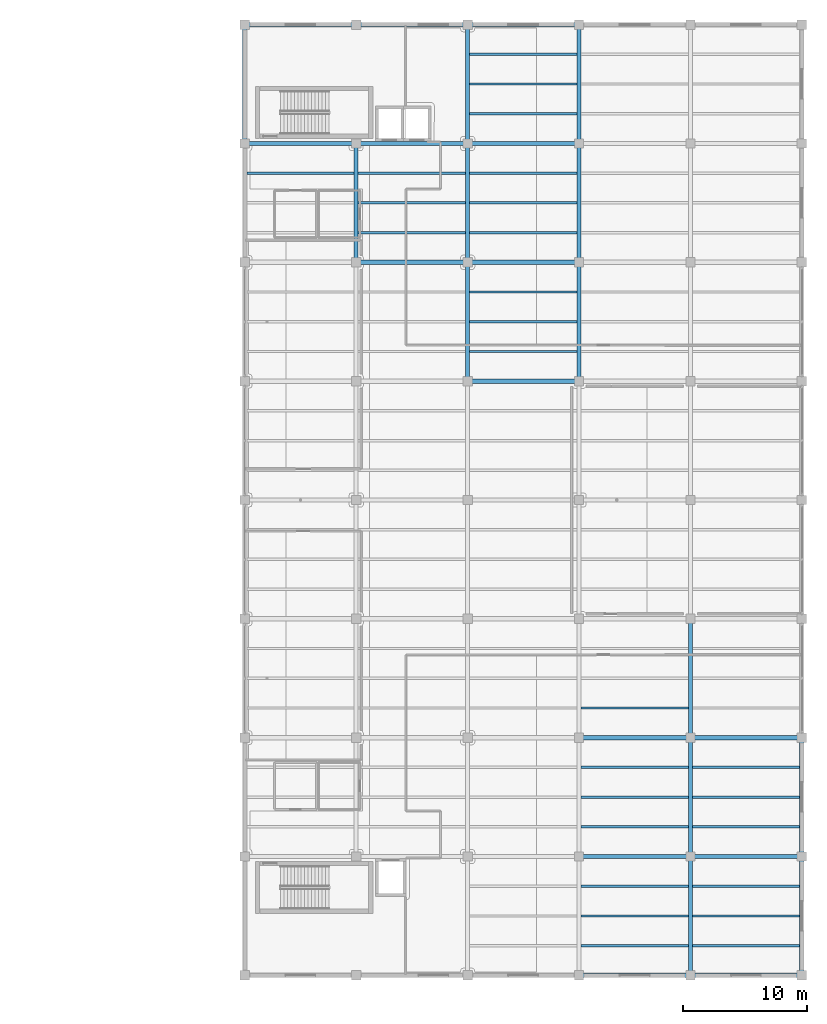
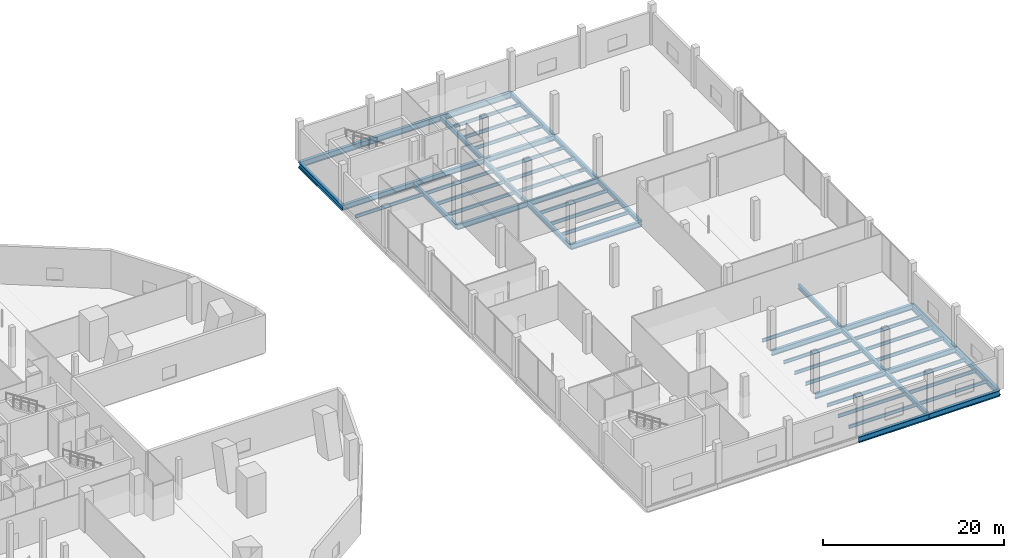
# One storey, part 14 of 47: 54 beams.
"""IFC4 building model written with IfcOpenShell, lengths in metres."""

from ifc_helpers import new_model, si_unit, direction, frame, origin, origin_2d, place, context, subcontext, project, spatial, i_section, extrude, material, material_profile, profile_set, type_object, element, save


model = new_model("IFC4")

# Units and contexts
model_context = context("Model", 3, precision=1e-05, world=origin(), true_north=direction((0.0, 1.0)))
body_context = subcontext(model_context, "Body", "Model", "MODEL_VIEW")
ifc_project = project(units=[si_unit("LENGTHUNIT", "METRE"), si_unit("AREAUNIT", "SQUARE_METRE"), si_unit("VOLUMEUNIT", "CUBIC_METRE"), si_unit("PLANEANGLEUNIT", "RADIAN"), si_unit("MASSUNIT", "GRAM", prefix="KILO")], contexts=[model_context])

# Site, building, storey
site_placement = place(None, origin())
site = spatial("IfcSite", under=ifc_project, at=site_placement, CompositionType="ELEMENT")
building_placement = place(site_placement, origin())
building = spatial("IfcBuilding", under=site, at=building_placement, Name="Qorvath Tower", CompositionType="ELEMENT")
storey_placement = place(building_placement, frame((0.0, 0.0, 6.60009765625)))
storey = spatial("IfcBuildingStorey", under=building, at=storey_placement, Name="L01", CompositionType="ELEMENT", Elevation=6.60009765625)

# Beams
ifc_material_1 = material(Name="Steel ASTM A992 Grade 50", Category="steel")
ifc_material_profile_1 = material_profile(ifc_material_1, i_section(OverallWidth=0.381103515625, OverallDepth=0.77294921875, WebThickness=0.0166015625, FlangeThickness=0.027099609375, FilletRadius=0.01904296875, at=origin_2d()), Name="W30x173")
ifc_profile_set_1 = profile_set([ifc_material_profile_1], Name="Steel ASTM A992 Grade 50")
beam_type_1 = type_object("IfcBeamType", Name="BM-FG3", PredefinedType="BEAM", material=ifc_profile_set_1)
for number, where, z_axis, x_axis, name in (
    (1, (59.39990234375, -38.39990234375, -0.646484375), (1.0, 0.0, 0.0), (0.0, 1.0, 0.0), "Library E-W Girder L01-1-4"),
    (2, (68.39990234375, -38.39990234375, -0.646484375), (1.0, 0.0, 0.0), (0.0, 1.0, 0.0), "Library E-W Girder L01-1-5"),
    (3, (32.39990234375, 38.39990234375, -0.646484375), (1.0, 0.0, 0.0), (0.0, 1.0, 0.0), "Library E-W Girder L01-9-1"),
    (4, (41.39990234375, 38.39990234375, -0.646484375), (1.0, 0.0, 0.0), (0.0, 1.0, 0.0), "Library E-W Girder L01-9-2"),
    (5, (50.39990234375, 38.39990234375, -0.646484375), (1.0, 0.0, 0.0), (0.0, 1.0, 0.0), "Library E-W Girder L01-9-3"),
):
    element("IfcBeam", number, at=place(storey_placement, frame(where, z_axis=z_axis, x_axis=x_axis)), inside=storey, type_object=beam_type_1, Name=name, PredefinedType="BEAM", context=body_context, shape_type="SweptSolid", body=[
        extrude(i_section(OverallWidth=0.381103515625, OverallDepth=0.77294921875, WebThickness=0.0166015625, FlangeThickness=0.027099609375, FilletRadius=0.01904296875, at=origin_2d()), origin(), (0.0, 0.0, 1.0), 9.0),
    ])
for number, where, z_axis, x_axis, name in (
    (6, (32.39990234375, 28.800048828125, -0.646484375), (0.0, 1.0, 0.0), (-1.0, 0.0, 0.0), "Library N-S Girder L01-1-8"),
    (7, (77.39990234375, -38.39990234375, -0.646484375), (0.0, 1.0, 0.0), (-1.0, 0.0, 0.0), "Library N-S Girder L01-6-1"),
):
    element("IfcBeam", number, at=place(storey_placement, frame(where, z_axis=z_axis, x_axis=x_axis)), inside=storey, type_object=beam_type_1, Name=name, PredefinedType="BEAM", context=body_context, shape_type="SweptSolid", body=[
        extrude(i_section(OverallWidth=0.381103515625, OverallDepth=0.77294921875, WebThickness=0.0166015625, FlangeThickness=0.027099609375, FilletRadius=0.01904296875, at=origin_2d()), origin(), (0.0, 0.0, 1.0), 9.599853515625),
    ])
beam_1_placement = place(storey_placement, frame((77.39990234375, -28.800048828125, -0.646484375), z_axis=(0.0, 1.0, 0.0), x_axis=(-1.0, 0.0, 0.0)))
element("IfcBeam", 8, at=beam_1_placement, inside=storey, type_object=beam_type_1, Name="Library N-S Girder L01-6-2", PredefinedType="BEAM", context=body_context, shape_type="SweptSolid", body=[
    extrude(i_section(OverallWidth=0.381103515625, OverallDepth=0.77294921875, WebThickness=0.0166015625, FlangeThickness=0.027099609375, FilletRadius=0.01904296875, at=origin_2d()), origin(), (0.0, 0.0, 1.0), 9.60009765625),
])
ifc_material_2 = material(Name="Steel ASTM A992 Grade 50", Category="steel")
ifc_material_profile_2 = material_profile(ifc_material_2, i_section(OverallWidth=0.35595703125, OverallDepth=0.696044921875, WebThickness=0.015380859375, FlangeThickness=0.02490234375, FilletRadius=0.01806640625, at=origin_2d()), Name="W27x146")
ifc_profile_set_2 = profile_set([ifc_material_profile_2], Name="Steel ASTM A992 Grade 50")
beam_type_2 = type_object("IfcBeamType", Name="BM-FG4", PredefinedType="BEAM", material=ifc_profile_set_2)
for number, where, z_axis, x_axis, name in (
    (9, (59.39990234375, -28.800048828125, -0.60791015625), (1.0, 0.0, 0.0), (0.0, 1.0, 0.0), "Library E-W Girder L01-2-4"),
    (10, (68.39990234375, -28.800048828125, -0.60791015625), (1.0, 0.0, 0.0), (0.0, 1.0, 0.0), "Library E-W Girder L01-2-5"),
    (11, (59.39990234375, -19.199951171875, -0.60791015625), (1.0, 0.0, 0.0), (0.0, 1.0, 0.0), "Library E-W Girder L01-3-4"),
    (12, (68.39990234375, -19.199951171875, -0.60791015625), (1.0, 0.0, 0.0), (0.0, 1.0, 0.0), "Library E-W Girder L01-3-5"),
    (13, (50.39990234375, 9.60009765625, -0.60791015625), (1.0, 0.0, 0.0), (0.0, 1.0, 0.0), "Library E-W Girder L01-6-3"),
    (14, (41.39990234375, 19.199951171875, -0.60791015625), (1.0, 0.0, 0.0), (0.0, 1.0, 0.0), "Library E-W Girder L01-7-2"),
    (15, (50.39990234375, 19.199951171875, -0.60791015625), (1.0, 0.0, 0.0), (0.0, 1.0, 0.0), "Library E-W Girder L01-7-3"),
    (16, (32.39990234375, 28.800048828125, -0.60791015625), (1.0, 0.0, 0.0), (0.0, 1.0, 0.0), "Library E-W Girder L01-8-1"),
    (17, (41.39990234375, 28.800048828125, -0.60791015625), (1.0, 0.0, 0.0), (0.0, 1.0, 0.0), "Library E-W Girder L01-8-2"),
    (18, (50.39990234375, 28.800048828125, -0.60791015625), (1.0, 0.0, 0.0), (0.0, 1.0, 0.0), "Library E-W Girder L01-8-3"),
):
    element("IfcBeam", number, at=place(storey_placement, frame(where, z_axis=z_axis, x_axis=x_axis)), inside=storey, type_object=beam_type_2, Name=name, PredefinedType="BEAM", context=body_context, shape_type="SweptSolid", body=[
        extrude(i_section(OverallWidth=0.35595703125, OverallDepth=0.696044921875, WebThickness=0.015380859375, FlangeThickness=0.02490234375, FilletRadius=0.01806640625, at=origin_2d()), origin(), (0.0, 0.0, 1.0), 9.0),
    ])
ifc_material_3 = material(Name="Steel ASTM A992 Grade 50", Category="steel")
ifc_material_profile_3 = material_profile(ifc_material_3, i_section(OverallWidth=0.324951171875, OverallDepth=0.615966796875, WebThickness=0.013916015625, FlangeThickness=0.021484375, FilletRadius=0.01611328125, at=origin_2d()), Name="W24x117")
ifc_profile_set_3 = profile_set([ifc_material_profile_3], Name="Steel ASTM A992 Grade 50")
beam_type_3 = type_object("IfcBeamType", Name="BM-FG5", PredefinedType="BEAM", material=ifc_profile_set_3)
beam_2_placement = place(storey_placement, frame((41.39990234375, 19.199951171875, -0.568115234375), z_axis=(0.0, 1.0, 0.0), x_axis=(-1.0, 0.0, 0.0)))
element("IfcBeam", 19, at=beam_2_placement, inside=storey, type_object=beam_type_3, Name="Library N-S Girder L01-2-7", PredefinedType="BEAM", context=body_context, shape_type="SweptSolid", body=[
    extrude(i_section(OverallWidth=0.324951171875, OverallDepth=0.615966796875, WebThickness=0.013916015625, FlangeThickness=0.021484375, FilletRadius=0.01611328125, at=origin_2d()), origin(), (0.0, 0.0, 1.0), 9.60009765625),
])
beam_3_placement = place(storey_placement, frame((50.39990234375, 9.60009765625, -0.568115234375), z_axis=(0.0, 1.0, 0.0), x_axis=(-1.0, 0.0, 0.0)))
element("IfcBeam", 20, at=beam_3_placement, inside=storey, type_object=beam_type_3, Name="Library N-S Girder L01-3-6", PredefinedType="BEAM", context=body_context, shape_type="SweptSolid", body=[
    extrude(i_section(OverallWidth=0.324951171875, OverallDepth=0.615966796875, WebThickness=0.013916015625, FlangeThickness=0.021484375, FilletRadius=0.01611328125, at=origin_2d()), origin(), (0.0, 0.0, 1.0), 9.599853515625),
])
beam_4_placement = place(storey_placement, frame((50.39990234375, 19.199951171875, -0.568115234375), z_axis=(0.0, 1.0, 0.0), x_axis=(-1.0, 0.0, 0.0)))
element("IfcBeam", 21, at=beam_4_placement, inside=storey, type_object=beam_type_3, Name="Library N-S Girder L01-3-7", PredefinedType="BEAM", context=body_context, shape_type="SweptSolid", body=[
    extrude(i_section(OverallWidth=0.324951171875, OverallDepth=0.615966796875, WebThickness=0.013916015625, FlangeThickness=0.021484375, FilletRadius=0.01611328125, at=origin_2d()), origin(), (0.0, 0.0, 1.0), 9.60009765625),
])
for number, where, z_axis, x_axis, name in (
    (22, (50.39990234375, 28.800048828125, -0.568115234375), (0.0, 1.0, 0.0), (-1.0, 0.0, 0.0), "Library N-S Girder L01-3-8"),
    (23, (59.39990234375, 9.60009765625, -0.568115234375), (0.0, 1.0, 0.0), (-1.0, 0.0, 0.0), "Library N-S Girder L01-4-6"),
):
    element("IfcBeam", number, at=place(storey_placement, frame(where, z_axis=z_axis, x_axis=x_axis)), inside=storey, type_object=beam_type_3, Name=name, PredefinedType="BEAM", context=body_context, shape_type="SweptSolid", body=[
        extrude(i_section(OverallWidth=0.324951171875, OverallDepth=0.615966796875, WebThickness=0.013916015625, FlangeThickness=0.021484375, FilletRadius=0.01611328125, at=origin_2d()), origin(), (0.0, 0.0, 1.0), 9.599853515625),
    ])
beam_5_placement = place(storey_placement, frame((59.39990234375, 19.199951171875, -0.568115234375), z_axis=(0.0, 1.0, 0.0), x_axis=(-1.0, 0.0, 0.0)))
element("IfcBeam", 24, at=beam_5_placement, inside=storey, type_object=beam_type_3, Name="Library N-S Girder L01-4-7", PredefinedType="BEAM", context=body_context, shape_type="SweptSolid", body=[
    extrude(i_section(OverallWidth=0.324951171875, OverallDepth=0.615966796875, WebThickness=0.013916015625, FlangeThickness=0.021484375, FilletRadius=0.01611328125, at=origin_2d()), origin(), (0.0, 0.0, 1.0), 9.60009765625),
])
for number, where, z_axis, x_axis, name in (
    (25, (59.39990234375, 28.800048828125, -0.568115234375), (0.0, 1.0, 0.0), (-1.0, 0.0, 0.0), "Library N-S Girder L01-4-8"),
    (26, (68.39990234375, -38.39990234375, -0.568115234375), (0.0, 1.0, 0.0), (-1.0, 0.0, 0.0), "Library N-S Girder L01-5-1"),
):
    element("IfcBeam", number, at=place(storey_placement, frame(where, z_axis=z_axis, x_axis=x_axis)), inside=storey, type_object=beam_type_3, Name=name, PredefinedType="BEAM", context=body_context, shape_type="SweptSolid", body=[
        extrude(i_section(OverallWidth=0.324951171875, OverallDepth=0.615966796875, WebThickness=0.013916015625, FlangeThickness=0.021484375, FilletRadius=0.01611328125, at=origin_2d()), origin(), (0.0, 0.0, 1.0), 9.599853515625),
    ])
beam_6_placement = place(storey_placement, frame((68.39990234375, -28.800048828125, -0.568115234375), z_axis=(0.0, 1.0, 0.0), x_axis=(-1.0, 0.0, 0.0)))
element("IfcBeam", 27, at=beam_6_placement, inside=storey, type_object=beam_type_3, Name="Library N-S Girder L01-5-2", PredefinedType="BEAM", context=body_context, shape_type="SweptSolid", body=[
    extrude(i_section(OverallWidth=0.324951171875, OverallDepth=0.615966796875, WebThickness=0.013916015625, FlangeThickness=0.021484375, FilletRadius=0.01611328125, at=origin_2d()), origin(), (0.0, 0.0, 1.0), 9.60009765625),
])
beam_7_placement = place(storey_placement, frame((68.39990234375, -19.199951171875, -0.568115234375), z_axis=(0.0, 1.0, 0.0), x_axis=(-1.0, 0.0, 0.0)))
element("IfcBeam", 28, at=beam_7_placement, inside=storey, type_object=beam_type_3, Name="Library N-S Girder L01-5-3", PredefinedType="BEAM", context=body_context, shape_type="SweptSolid", body=[
    extrude(i_section(OverallWidth=0.324951171875, OverallDepth=0.615966796875, WebThickness=0.013916015625, FlangeThickness=0.021484375, FilletRadius=0.01611328125, at=origin_2d()), origin(), (0.0, 0.0, 1.0), 9.599853515625),
])
ifc_material_4 = material(Name="Steel ASTM A992 Grade 50", Category="steel")
ifc_material_profile_4 = material_profile(ifc_material_4, i_section(OverallWidth=0.18994140625, OverallDepth=0.45703125, WebThickness=0.009033203125, FlangeThickness=0.014404296875, FilletRadius=0.011962890625, at=origin_2d()), Name="W18x50")
ifc_profile_set_4 = profile_set([ifc_material_profile_4], Name="Steel ASTM A992 Grade 50")
beam_type_4 = type_object("IfcBeamType", Name="BM-FJ2", PredefinedType="JOIST", material=ifc_profile_set_4)
beam_8_placement = place(storey_placement, frame((59.560546875, -36.0, -0.488525390625), z_axis=(1.0, 0.0, 0.0), x_axis=(0.0, 1.0, 0.0)))
element("IfcBeam", 29, at=beam_8_placement, inside=storey, type_object=beam_type_4, Name="Library Stack Joist L01-1.1-4", PredefinedType="JOIST", context=body_context, shape_type="SweptSolid", body=[
    extrude(i_section(OverallWidth=0.18994140625, OverallDepth=0.45703125, WebThickness=0.009033203125, FlangeThickness=0.014404296875, FilletRadius=0.011962890625, at=origin_2d()), origin(), (0.0, 0.0, 1.0), 8.678955078125),
])
beam_9_placement = place(storey_placement, frame((68.560546875, -36.0, -0.488525390625), z_axis=(1.0, 0.0, 0.0), x_axis=(0.0, 1.0, 0.0)))
element("IfcBeam", 30, at=beam_9_placement, inside=storey, type_object=beam_type_4, Name="Library Stack Joist L01-1.1-5", PredefinedType="JOIST", context=body_context, shape_type="SweptSolid", body=[
    extrude(i_section(OverallWidth=0.18994140625, OverallDepth=0.45703125, WebThickness=0.009033203125, FlangeThickness=0.014404296875, FilletRadius=0.011962890625, at=origin_2d()), origin(), (0.0, 0.0, 1.0), 8.65087890625),
])
beam_10_placement = place(storey_placement, frame((59.560546875, -33.60009765625, -0.488525390625), z_axis=(1.0, 0.0, 0.0), x_axis=(0.0, 1.0, 0.0)))
element("IfcBeam", 31, at=beam_10_placement, inside=storey, type_object=beam_type_4, Name="Library Stack Joist L01-1.2-4", PredefinedType="JOIST", context=body_context, shape_type="SweptSolid", body=[
    extrude(i_section(OverallWidth=0.18994140625, OverallDepth=0.45703125, WebThickness=0.009033203125, FlangeThickness=0.014404296875, FilletRadius=0.011962890625, at=origin_2d()), origin(), (0.0, 0.0, 1.0), 8.678955078125),
])
beam_11_placement = place(storey_placement, frame((68.560546875, -33.60009765625, -0.488525390625), z_axis=(1.0, 0.0, 0.0), x_axis=(0.0, 1.0, 0.0)))
element("IfcBeam", 32, at=beam_11_placement, inside=storey, type_object=beam_type_4, Name="Library Stack Joist L01-1.2-5", PredefinedType="JOIST", context=body_context, shape_type="SweptSolid", body=[
    extrude(i_section(OverallWidth=0.18994140625, OverallDepth=0.45703125, WebThickness=0.009033203125, FlangeThickness=0.014404296875, FilletRadius=0.011962890625, at=origin_2d()), origin(), (0.0, 0.0, 1.0), 8.65087890625),
])
beam_12_placement = place(storey_placement, frame((59.560546875, -31.199951171875, -0.488525390625), z_axis=(1.0, 0.0, 0.0), x_axis=(0.0, 1.0, 0.0)))
element("IfcBeam", 33, at=beam_12_placement, inside=storey, type_object=beam_type_4, Name="Library Stack Joist L01-1.3-4", PredefinedType="JOIST", context=body_context, shape_type="SweptSolid", body=[
    extrude(i_section(OverallWidth=0.18994140625, OverallDepth=0.45703125, WebThickness=0.009033203125, FlangeThickness=0.014404296875, FilletRadius=0.011962890625, at=origin_2d()), origin(), (0.0, 0.0, 1.0), 8.678955078125),
])
beam_13_placement = place(storey_placement, frame((68.560546875, -31.199951171875, -0.488525390625), z_axis=(1.0, 0.0, 0.0), x_axis=(0.0, 1.0, 0.0)))
element("IfcBeam", 34, at=beam_13_placement, inside=storey, type_object=beam_type_4, Name="Library Stack Joist L01-1.3-5", PredefinedType="JOIST", context=body_context, shape_type="SweptSolid", body=[
    extrude(i_section(OverallWidth=0.18994140625, OverallDepth=0.45703125, WebThickness=0.009033203125, FlangeThickness=0.014404296875, FilletRadius=0.011962890625, at=origin_2d()), origin(), (0.0, 0.0, 1.0), 8.65087890625),
])
beam_14_placement = place(storey_placement, frame((59.560546875, -26.39990234375, -0.488525390625), z_axis=(1.0, 0.0, 0.0), x_axis=(0.0, 1.0, 0.0)))
element("IfcBeam", 35, at=beam_14_placement, inside=storey, type_object=beam_type_4, Name="Library Stack Joist L01-2.1-4", PredefinedType="JOIST", context=body_context, shape_type="SweptSolid", body=[
    extrude(i_section(OverallWidth=0.18994140625, OverallDepth=0.45703125, WebThickness=0.009033203125, FlangeThickness=0.014404296875, FilletRadius=0.011962890625, at=origin_2d()), origin(), (0.0, 0.0, 1.0), 8.678955078125),
])
beam_15_placement = place(storey_placement, frame((68.560546875, -26.39990234375, -0.488525390625), z_axis=(1.0, 0.0, 0.0), x_axis=(0.0, 1.0, 0.0)))
element("IfcBeam", 36, at=beam_15_placement, inside=storey, type_object=beam_type_4, Name="Library Stack Joist L01-2.1-5", PredefinedType="JOIST", context=body_context, shape_type="SweptSolid", body=[
    extrude(i_section(OverallWidth=0.18994140625, OverallDepth=0.45703125, WebThickness=0.009033203125, FlangeThickness=0.014404296875, FilletRadius=0.011962890625, at=origin_2d()), origin(), (0.0, 0.0, 1.0), 8.65087890625),
])
beam_16_placement = place(storey_placement, frame((59.560546875, -24.0, -0.488525390625), z_axis=(1.0, 0.0, 0.0), x_axis=(0.0, 1.0, 0.0)))
element("IfcBeam", 37, at=beam_16_placement, inside=storey, type_object=beam_type_4, Name="Library Stack Joist L01-2.2-4", PredefinedType="JOIST", context=body_context, shape_type="SweptSolid", body=[
    extrude(i_section(OverallWidth=0.18994140625, OverallDepth=0.45703125, WebThickness=0.009033203125, FlangeThickness=0.014404296875, FilletRadius=0.011962890625, at=origin_2d()), origin(), (0.0, 0.0, 1.0), 8.678955078125),
])
beam_17_placement = place(storey_placement, frame((68.560546875, -24.0, -0.488525390625), z_axis=(1.0, 0.0, 0.0), x_axis=(0.0, 1.0, 0.0)))
element("IfcBeam", 38, at=beam_17_placement, inside=storey, type_object=beam_type_4, Name="Library Stack Joist L01-2.2-5", PredefinedType="JOIST", context=body_context, shape_type="SweptSolid", body=[
    extrude(i_section(OverallWidth=0.18994140625, OverallDepth=0.45703125, WebThickness=0.009033203125, FlangeThickness=0.014404296875, FilletRadius=0.011962890625, at=origin_2d()), origin(), (0.0, 0.0, 1.0), 8.65087890625),
])
beam_18_placement = place(storey_placement, frame((59.560546875, -21.60009765625, -0.488525390625), z_axis=(1.0, 0.0, 0.0), x_axis=(0.0, 1.0, 0.0)))
element("IfcBeam", 39, at=beam_18_placement, inside=storey, type_object=beam_type_4, Name="Library Stack Joist L01-2.3-4", PredefinedType="JOIST", context=body_context, shape_type="SweptSolid", body=[
    extrude(i_section(OverallWidth=0.18994140625, OverallDepth=0.45703125, WebThickness=0.009033203125, FlangeThickness=0.014404296875, FilletRadius=0.011962890625, at=origin_2d()), origin(), (0.0, 0.0, 1.0), 8.678955078125),
])
beam_19_placement = place(storey_placement, frame((68.560546875, -21.60009765625, -0.488525390625), z_axis=(1.0, 0.0, 0.0), x_axis=(0.0, 1.0, 0.0)))
element("IfcBeam", 40, at=beam_19_placement, inside=storey, type_object=beam_type_4, Name="Library Stack Joist L01-2.3-5", PredefinedType="JOIST", context=body_context, shape_type="SweptSolid", body=[
    extrude(i_section(OverallWidth=0.18994140625, OverallDepth=0.45703125, WebThickness=0.009033203125, FlangeThickness=0.014404296875, FilletRadius=0.011962890625, at=origin_2d()), origin(), (0.0, 0.0, 1.0), 8.65087890625),
])
for number, where, z_axis, x_axis, name in (
    (41, (59.560546875, -16.800048828125, -0.488525390625), (1.0, 0.0, 0.0), (0.0, 1.0, 0.0), "Library Stack Joist L01-3.1-4"),
    (42, (50.560546875, 12.0, -0.488525390625), (1.0, 0.0, 0.0), (0.0, 1.0, 0.0), "Library Stack Joist L01-6.1-3"),
    (43, (50.560546875, 14.39990234375, -0.488525390625), (1.0, 0.0, 0.0), (0.0, 1.0, 0.0), "Library Stack Joist L01-6.2-3"),
    (44, (50.560546875, 16.800048828125, -0.488525390625), (1.0, 0.0, 0.0), (0.0, 1.0, 0.0), "Library Stack Joist L01-6.3-3"),
    (45, (41.560546875, 21.60009765625, -0.488525390625), (1.0, 0.0, 0.0), (0.0, 1.0, 0.0), "Library Stack Joist L01-7.1-2"),
    (46, (50.560546875, 21.60009765625, -0.488525390625), (1.0, 0.0, 0.0), (0.0, 1.0, 0.0), "Library Stack Joist L01-7.1-3"),
    (47, (41.560546875, 24.0, -0.488525390625), (1.0, 0.0, 0.0), (0.0, 1.0, 0.0), "Library Stack Joist L01-7.2-2"),
    (48, (50.560546875, 24.0, -0.488525390625), (1.0, 0.0, 0.0), (0.0, 1.0, 0.0), "Library Stack Joist L01-7.2-3"),
):
    element("IfcBeam", number, at=place(storey_placement, frame(where, z_axis=z_axis, x_axis=x_axis)), inside=storey, type_object=beam_type_4, Name=name, PredefinedType="JOIST", context=body_context, shape_type="SweptSolid", body=[
        extrude(i_section(OverallWidth=0.18994140625, OverallDepth=0.45703125, WebThickness=0.009033203125, FlangeThickness=0.014404296875, FilletRadius=0.011962890625, at=origin_2d()), origin(), (0.0, 0.0, 1.0), 8.678955078125),
    ])
beam_20_placement = place(storey_placement, frame((32.58837890625, 26.39990234375, -0.488525390625), z_axis=(1.0, 0.0, 0.0), x_axis=(0.0, 1.0, 0.0)))
element("IfcBeam", 49, at=beam_20_placement, inside=storey, type_object=beam_type_4, Name="Library Stack Joist L01-7.3-1", PredefinedType="JOIST", context=body_context, shape_type="SweptSolid", body=[
    extrude(i_section(OverallWidth=0.18994140625, OverallDepth=0.45703125, WebThickness=0.009033203125, FlangeThickness=0.014404296875, FilletRadius=0.011962890625, at=origin_2d()), origin(), (0.0, 0.0, 1.0), 8.651123046875),
])
for number, where, z_axis, x_axis, name in (
    (50, (41.560546875, 26.39990234375, -0.488525390625), (1.0, 0.0, 0.0), (0.0, 1.0, 0.0), "Library Stack Joist L01-7.3-2"),
    (51, (50.560546875, 26.39990234375, -0.488525390625), (1.0, 0.0, 0.0), (0.0, 1.0, 0.0), "Library Stack Joist L01-7.3-3"),
    (52, (50.560546875, 31.199951171875, -0.488525390625), (1.0, 0.0, 0.0), (0.0, 1.0, 0.0), "Library Stack Joist L01-8.1-3"),
    (53, (50.560546875, 33.60009765625, -0.488525390625), (1.0, 0.0, 0.0), (0.0, 1.0, 0.0), "Library Stack Joist L01-8.2-3"),
    (54, (50.560546875, 36.0, -0.488525390625), (1.0, 0.0, 0.0), (0.0, 1.0, 0.0), "Library Stack Joist L01-8.3-3"),
):
    element("IfcBeam", number, at=place(storey_placement, frame(where, z_axis=z_axis, x_axis=x_axis)), inside=storey, type_object=beam_type_4, Name=name, PredefinedType="JOIST", context=body_context, shape_type="SweptSolid", body=[
        extrude(i_section(OverallWidth=0.18994140625, OverallDepth=0.45703125, WebThickness=0.009033203125, FlangeThickness=0.014404296875, FilletRadius=0.011962890625, at=origin_2d()), origin(), (0.0, 0.0, 1.0), 8.678955078125),
    ])

save(model, "model.ifc")
